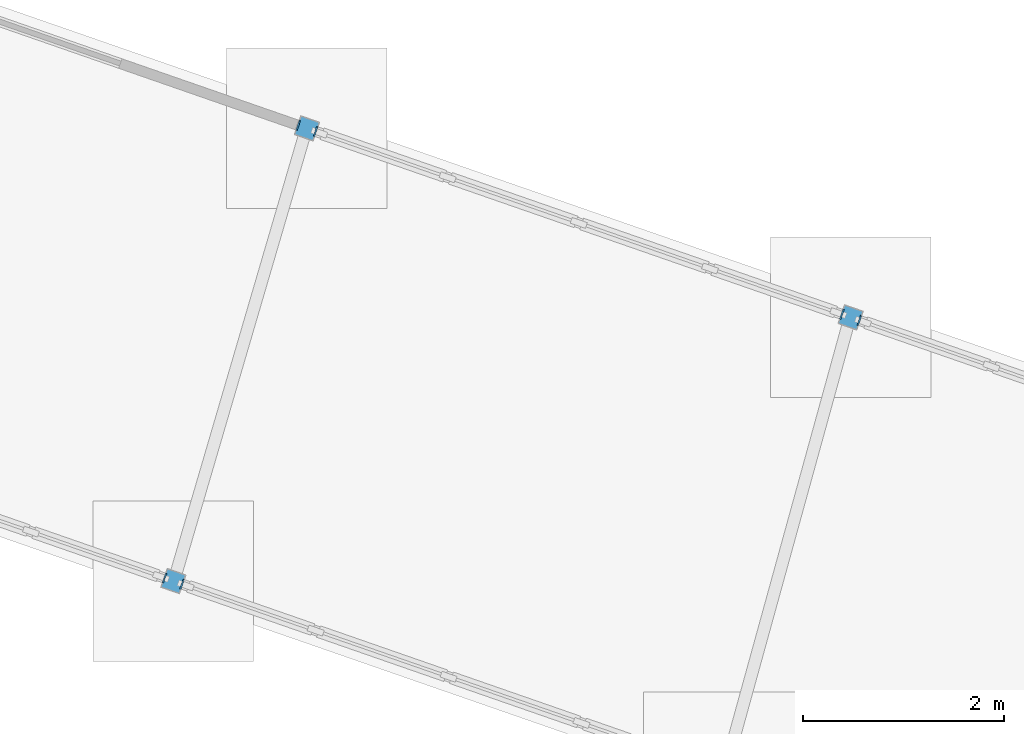
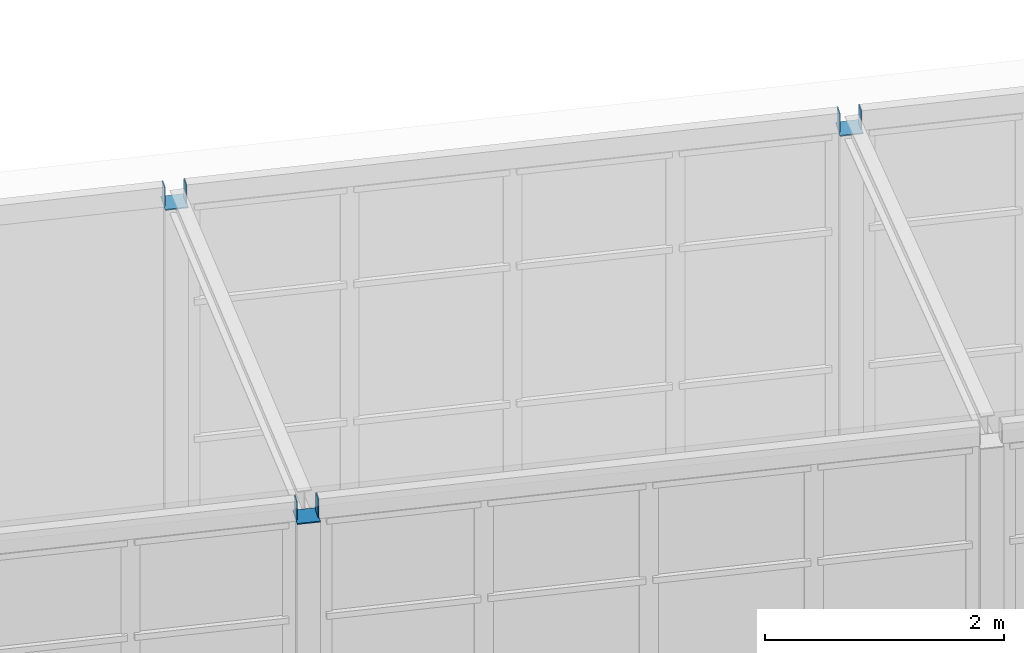
# One storey, part 192 of 226: 9 discrete accessories.
"""IFC4 building model written with IfcOpenShell, lengths in metres."""

from ifc_helpers import new_model, si_unit, direction, frame, origin, origin_2d, place, context, subcontext, project, spatial, rectangle, extrude, material, material_profile, profile_set, type_object, element, save


model = new_model("IFC4")

# Units and contexts
model_context = context("Model", 3, precision=1e-05, world=origin(), true_north=direction((0.0, 1.0)))
body_context = subcontext(model_context, "Body", "Model", "MODEL_VIEW")
ifc_project = project(units=[si_unit("LENGTHUNIT", "METRE"), si_unit("AREAUNIT", "SQUARE_METRE"), si_unit("VOLUMEUNIT", "CUBIC_METRE"), si_unit("PLANEANGLEUNIT", "RADIAN"), si_unit("MASSUNIT", "GRAM", prefix="KILO")], contexts=[model_context])

# Site, building, storey
site_placement = place(None, origin())
site = spatial("IfcSite", under=ifc_project, at=site_placement, CompositionType="ELEMENT")
building_placement = place(site_placement, origin())
building = spatial("IfcBuilding", under=site, at=building_placement, Name="Ceibo Conservatory and Research Tower", CompositionType="ELEMENT")
storey_placement = place(building_placement, origin())
storey = spatial("IfcBuildingStorey", under=building, at=storey_placement, Name="L00", CompositionType="ELEMENT", Elevation=0.0)

# Discrete accessories
ifc_material = material(Name="Steel S355J2", Category="steel")
ifc_material_profile_1 = material_profile(ifc_material, rectangle(XDim=0.10009765625, YDim=0.199951171875, at=origin_2d()), Name="End plate PL 200x100x8")
ifc_profile_set_1 = profile_set([ifc_material_profile_1], Name="Steel S355J2")
discrete_accessory_type_1 = type_object("IfcDiscreteAccessoryType", Name="End plate PL 200x100x8", PredefinedType="USERDEFINED", material=ifc_profile_set_1)
for number, where, z_axis, x_axis, name in (
    (1, (109.892578125, 54.96533203125, 3.89990234375), (0.948683298051, -0.316227766017, 0.0), (0.316227766017, 0.948683298051, 0.0), "Gallery edge beam AUD-VC-EBN08 end plate"),
    (2, (110.06640625, 54.905029296875, 3.89990234375), (0.948683298051, -0.316227766017, 0.0), (0.316227766017, 0.948683298051, 0.0), "Gallery edge beam AUD-VC-EBN09 end plate"),
    (3, (115.313232421875, 53.08154296875, 3.89990234375), (0.941194670762, -0.337864753607, 0.0), (0.337864753607, 0.941194670762, 0.0), "Gallery edge beam AUD-VC-EBN09 end plate"),
    (4, (115.487060546875, 53.02099609375, 3.89990234375), (0.948683298051, -0.316227766017, 0.0), (0.316227766017, 0.948683298051, 0.0), "Gallery edge beam AUD-VC-EBN10 end plate"),
):
    element("IfcDiscreteAccessory", number, at=place(storey_placement, frame(where, z_axis=z_axis, x_axis=x_axis)), inside=storey, type_object=discrete_accessory_type_1, Name=name, ObjectType="End plate", PredefinedType="USERDEFINED", context=body_context, shape_type="SweptSolid", body=[
        extrude(rectangle(XDim=0.10009765625, YDim=0.199951171875, at=origin_2d()), origin(), (0.0, 0.0, 1.0), 0.010009765625),
    ])
for number, where, z_axis, x_axis, name in (
    (5, (108.560791015625, 50.45263671875, 3.89990234375), (0.938343116817, -0.345705358827, 0.0), (0.345705358827, 0.938343116817, 0.0), "Gallery edge beam AUD-VC-EBS08 end plate"),
    (6, (108.734619140625, 50.39208984375, 3.89990234375), (0.946163984953, -0.323687679063, 0.0), (0.323687679063, 0.946163984953, 0.0), "Gallery edge beam AUD-VC-EBS09 end plate"),
):
    element("IfcDiscreteAccessory", number, at=place(storey_placement, frame(where, z_axis=z_axis, x_axis=x_axis)), inside=storey, type_object=discrete_accessory_type_1, Name=name, ObjectType="End plate", PredefinedType="USERDEFINED", context=body_context, shape_type="SweptSolid", body=[
        extrude(rectangle(XDim=0.10009765625, YDim=0.199951171875, at=origin_2d()), origin(), (0.0, 0.0, 1.0), 0.009765625),
    ])
ifc_material_profile_2 = material_profile(ifc_material, rectangle(XDim=0.199951171875, YDim=0.199951171875, at=origin_2d()), Name="End plate PL 200x200x10")
ifc_profile_set_2 = profile_set([ifc_material_profile_2], Name="Steel S355J2")
discrete_accessory_type_2 = type_object("IfcDiscreteAccessoryType", Name="End plate PL 200x200x10", PredefinedType="USERDEFINED", material=ifc_profile_set_2)
for number, where, z_axis, x_axis, name in (
    (7, (109.984375, 54.93359375, 3.798095703125), (0.0, 0.0, 1.0), (0.944579236191, -0.328283515513, 0.0), "Gallery column AUD-VC-CN08 end plate"),
    (8, (115.40478515625, 53.049560546875, 3.798095703125), (0.0, 0.0, 1.0), (0.944579236191, -0.328283515513, 0.0), "Gallery column AUD-VC-CN09 end plate"),
    (9, (108.65234375, 50.420654296875, 3.798095703125), (0.0, 0.0, 1.0), (0.944579236191, -0.328283515513, 0.0), "Gallery column AUD-VC-CS08 end plate"),
):
    element("IfcDiscreteAccessory", number, at=place(storey_placement, frame(where, z_axis=z_axis, x_axis=x_axis)), inside=storey, type_object=discrete_accessory_type_2, Name=name, ObjectType="End plate", PredefinedType="USERDEFINED", context=body_context, shape_type="SweptSolid", body=[
        extrude(rectangle(XDim=0.199951171875, YDim=0.199951171875, at=origin_2d()), origin(), (0.0, 0.0, 1.0), 0.011962890625),
    ])

save(model, "model.ifc")
